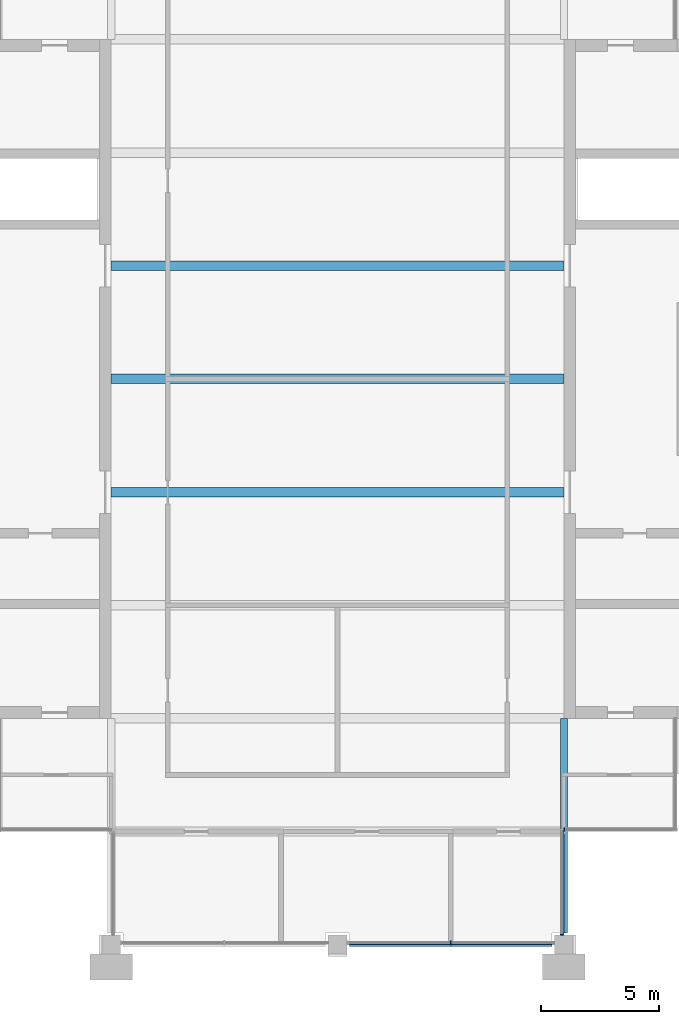
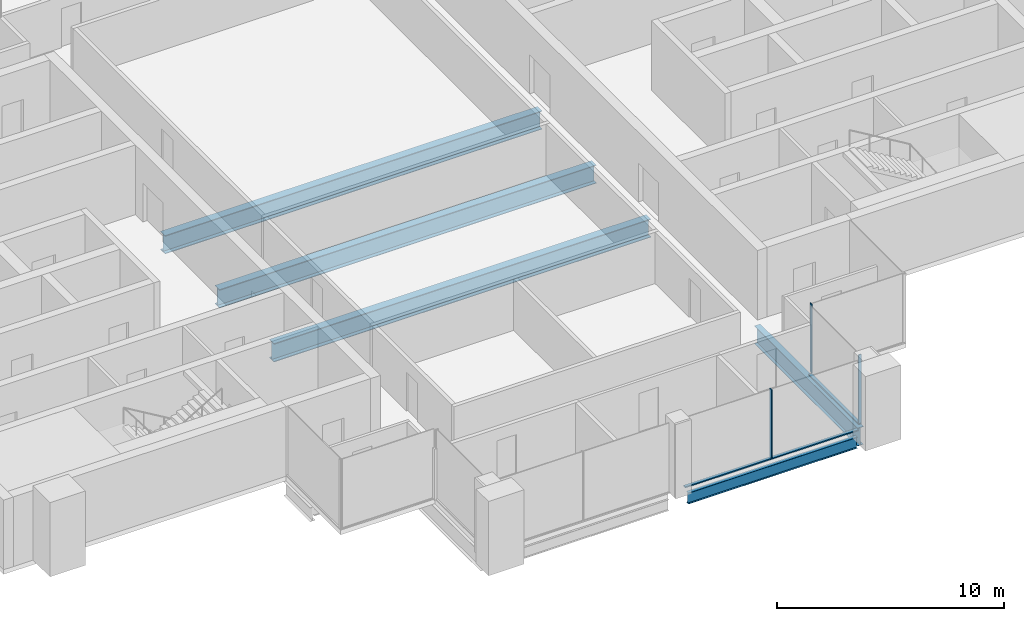
# One storey, part 3 of 11: 5 beams, 5 members, 3 elements without a shape of their own.
"""IFC4 building model written with IfcOpenShell, lengths in metres."""

from ifc_helpers import new_model, si_unit, direction, frame, origin, origin_2d, place, context, subcontext, project, spatial, rectangle, i_section, extrude, material, material_profile, profile_set, type_object, element, aggregate, save


model = new_model("IFC4")

# Units and contexts
model_context = context("Model", 3, precision=1e-05, world=origin(), true_north=direction((0.0, 1.0)))
body_context = subcontext(model_context, "Body", "Model", "MODEL_VIEW")
ifc_project = project(units=[si_unit("LENGTHUNIT", "METRE"), si_unit("AREAUNIT", "SQUARE_METRE"), si_unit("VOLUMEUNIT", "CUBIC_METRE"), si_unit("PLANEANGLEUNIT", "RADIAN"), si_unit("MASSUNIT", "GRAM", prefix="KILO")], contexts=[model_context])

# Site, building, storey
site_placement = place(None, origin())
site = spatial("IfcSite", under=ifc_project, at=site_placement, CompositionType="ELEMENT")
building_placement = place(site_placement, origin())
building = spatial("IfcBuilding", under=site, at=building_placement, Name="Baori Bourse Tower", CompositionType="ELEMENT")
storey_placement = place(building_placement, frame((0.0, 0.0, 354.300048828125)))
storey = spatial("IfcBuildingStorey", under=building, at=storey_placement, Name="L79", CompositionType="ELEMENT", Elevation=354.300048828125)

# Curtain wall, member
ifc_material_1 = material(Name="Pale anodised aluminium", Category="aluminium")
curtain_wall_type = type_object("IfcCurtainWallType", Name="CW3 Curtain wall", PredefinedType="NOTDEFINED", material=ifc_material_1)
curtain_wall_1_placement = place(storey_placement, origin())
curtain_wall_1 = element("IfcCurtainWall", 1, at=curtain_wall_1_placement, inside=storey, type_object=curtain_wall_type, Name="Curtain wall CW3 L79 14", PredefinedType="NOTDEFINED")
ifc_material_2 = material(Name="Pale anodised aluminium", Category="aluminium")
ifc_material_profile_1 = material_profile(ifc_material_2, rectangle(XDim=0.159912109375, YDim=0.050048828125, at=origin_2d()), Name="Mullion 50x160")
ifc_profile_set_1 = profile_set([ifc_material_profile_1], Name="Pale anodised aluminium")
member_type_1 = type_object("IfcMemberType", Name="CW3 Curtain wall mullion", PredefinedType="MULLION", material=ifc_profile_set_1)
member_1_placement = place(storey_placement, frame((33.60009765625, 0.080078125, 0.06005859375), z_axis=(0.0, 0.0, 1.0), x_axis=(0.0, 1.0, 0.0)))
member_1 = element("IfcMember", 2, at=member_1_placement, type_object=member_type_1, Name="Curtain wall CW3 mullion", PredefinedType="MULLION", context=body_context, shape_type="SweptSolid", body=[
    extrude(rectangle(XDim=0.159912109375, YDim=0.050048828125, at=origin_2d()), origin(), (0.0, 0.0, 1.0), 3.68994140625),
])

curtain_wall_2_placement = place(storey_placement, origin())
curtain_wall_2 = element("IfcCurtainWall", 3, at=curtain_wall_2_placement, inside=storey, type_object=curtain_wall_type, Name="Curtain wall CW3 L79 15", PredefinedType="NOTDEFINED")
member_2_placement = place(storey_placement, frame((38.320068359375, 0.425048828125, 0.06005859375), z_axis=(0.0, 0.0, 1.0), x_axis=(-1.0, 0.0, 0.0)))
member_2 = element("IfcMember", 4, at=member_2_placement, type_object=member_type_1, Name="Curtain wall CW3 mullion", PredefinedType="MULLION", context=body_context, shape_type="SweptSolid", body=[
    extrude(rectangle(XDim=0.159912109375, YDim=0.050048828125, at=origin_2d()), origin(), (0.0, 0.0, 1.0), 3.68994140625),
])

curtain_wall_3_placement = place(storey_placement, origin())
curtain_wall_3 = element("IfcCurtainWall", 5, at=curtain_wall_3_placement, inside=storey, type_object=curtain_wall_type, Name="Curtain wall CW3 L79 16", PredefinedType="NOTDEFINED")
member_3_placement = place(storey_placement, frame((38.425048828125, 4.8798828125, 0.06005859375), z_axis=(0.0, 0.0, 1.0), x_axis=(0.0, 1.0, 0.0)))
member_3 = element("IfcMember", 6, at=member_3_placement, type_object=member_type_1, Name="Curtain wall CW3 mullion", PredefinedType="MULLION", context=body_context, shape_type="SweptSolid", body=[
    extrude(rectangle(XDim=0.159912109375, YDim=0.050048828125, at=origin_2d()), origin(), (0.0, 0.0, 1.0), 3.68994140625),
])
aggregate(curtain_wall_3, [member_3])

# Member
ifc_material_3 = material(Name="Pale anodised aluminium", Category="aluminium")
ifc_material_profile_2 = material_profile(ifc_material_3, rectangle(XDim=0.159912109375, YDim=0.06005859375, at=origin_2d()), Name="Transom 60x160")
ifc_profile_set_2 = profile_set([ifc_material_profile_2], Name="Pale anodised aluminium")
member_type_2 = type_object("IfcMemberType", Name="CW3 Curtain wall transom", PredefinedType="USERDEFINED", material=ifc_profile_set_2)
member_4_placement = place(storey_placement, frame((29.199951171875, 0.080078125, 0.030029296875), z_axis=(1.0, 0.0, 0.0), x_axis=(0.0, 1.0, 0.0)))
member_4 = element("IfcMember", 7, at=member_4_placement, type_object=member_type_2, Name="Curtain wall CW3 sill rail", ObjectType="TRANSOM", PredefinedType="USERDEFINED", context=body_context, shape_type="SweptSolid", body=[
    extrude(rectangle(XDim=0.159912109375, YDim=0.06005859375, at=origin_2d()), origin(), (0.0, 0.0, 1.0), 8.800048828125),
])

aggregate(curtain_wall_1, [member_4, member_1])

member_5_placement = place(storey_placement, frame((38.320068359375, 0.39990234375, 0.030029296875), z_axis=(0.0, 1.0, 0.0), x_axis=(-1.0, 0.0, 0.0)))
member_5 = element("IfcMember", 8, at=member_5_placement, type_object=member_type_2, Name="Curtain wall CW3 sill rail", ObjectType="TRANSOM", PredefinedType="USERDEFINED", context=body_context, shape_type="SweptSolid", body=[
    extrude(rectangle(XDim=0.159912109375, YDim=0.06005859375, at=origin_2d()), origin(), (0.0, 0.0, 1.0), 4.400146484375),
])

aggregate(curtain_wall_2, [member_5, member_2])

# Beams
ifc_material_4 = material(Name="Steel A992 Gr 50", Category="steel")
ifc_material_profile_3 = material_profile(ifc_material_4, i_section(OverallWidth=0.177978515625, OverallDepth=0.599365234375, WebThickness=0.010009765625, FlangeThickness=0.012939453125, at=origin_2d()), Name="W24x55")
ifc_profile_set_3 = profile_set([ifc_material_profile_3], Name="Steel A992 Gr 50")
beam_type_1 = type_object("IfcBeamType", Name="Edge beam W24x55", PredefinedType="BEAM", material=ifc_profile_set_3)
beam_1_placement = place(storey_placement, frame((29.300048828125, 0.0, -0.5498046875), z_axis=(1.0, 0.0, 0.0), x_axis=(0.0, 1.0, 0.0)))
element("IfcBeam", 9, at=beam_1_placement, inside=storey, type_object=beam_type_1, Name="Edge beam L79", PredefinedType="BEAM", context=body_context, shape_type="SweptSolid", body=[
    extrude(i_section(OverallWidth=0.177978515625, OverallDepth=0.599365234375, WebThickness=0.010009765625, FlangeThickness=0.012939453125, at=origin_2d()), origin(), (0.0, 0.0, 1.0), 8.599853515625),
])
ifc_material_5 = material(Name="Steel A992 Gr 50", Category="steel")
ifc_material_profile_4 = material_profile(ifc_material_5, i_section(OverallWidth=0.4013671875, OverallDepth=0.990478515625, WebThickness=0.0166015625, FlangeThickness=0.031005859375, at=origin_2d()), Name="W40x215")
ifc_profile_set_4 = profile_set([ifc_material_profile_4], Name="Steel A992 Gr 50")
beam_type_2 = type_object("IfcBeamType", Name="Floor beam W40x215", PredefinedType="BEAM", material=ifc_profile_set_4)
for number, where, z_axis, x_axis, name in (
    (10, (19.199951171875, 19.199951171875, -0.745361328125), (1.0, 0.0, 0.0), (0.0, 1.0, 0.0), "Floor beam L79"),
    (11, (19.199951171875, 24.0, -0.745361328125), (1.0, 0.0, 0.0), (0.0, 1.0, 0.0), "Floor beam L79"),
    (12, (19.199951171875, 28.800048828125, -0.745361328125), (1.0, 0.0, 0.0), (0.0, 1.0, 0.0), "Floor beam L79"),
):
    element("IfcBeam", number, at=place(storey_placement, frame(where, z_axis=z_axis, x_axis=x_axis)), inside=storey, type_object=beam_type_2, Name=name, PredefinedType="BEAM", context=body_context, shape_type="SweptSolid", body=[
        extrude(i_section(OverallWidth=0.4013671875, OverallDepth=0.990478515625, WebThickness=0.0166015625, FlangeThickness=0.031005859375, at=origin_2d()), origin(), (0.0, 0.0, 1.0), 19.199951171875),
    ])
ifc_material_6 = material(Name="Steel A992 Gr 50", Category="steel")
ifc_material_profile_5 = material_profile(ifc_material_6, i_section(OverallWidth=0.2998046875, OverallDepth=0.97021484375, WebThickness=0.01611328125, FlangeThickness=0.02099609375, at=origin_2d()), Name="W40x149")
ifc_profile_set_5 = profile_set([ifc_material_profile_5], Name="Steel A992 Gr 50")
beam_type_3 = type_object("IfcBeamType", Name="Girder W40x149", PredefinedType="BEAM", material=ifc_profile_set_5)
beam_2_placement = place(storey_placement, frame((38.39990234375, 0.5, -0.735107421875), z_axis=(0.0, 1.0, 0.0), x_axis=(-1.0, 0.0, 0.0)))
element("IfcBeam", 13, at=beam_2_placement, inside=storey, type_object=beam_type_3, Name="Girder L79", PredefinedType="BEAM", context=body_context, shape_type="SweptSolid", body=[
    extrude(i_section(OverallWidth=0.2998046875, OverallDepth=0.97021484375, WebThickness=0.01611328125, FlangeThickness=0.02099609375, at=origin_2d()), origin(), (0.0, 0.0, 1.0), 9.10009765625),
])

save(model, "model.ifc")
